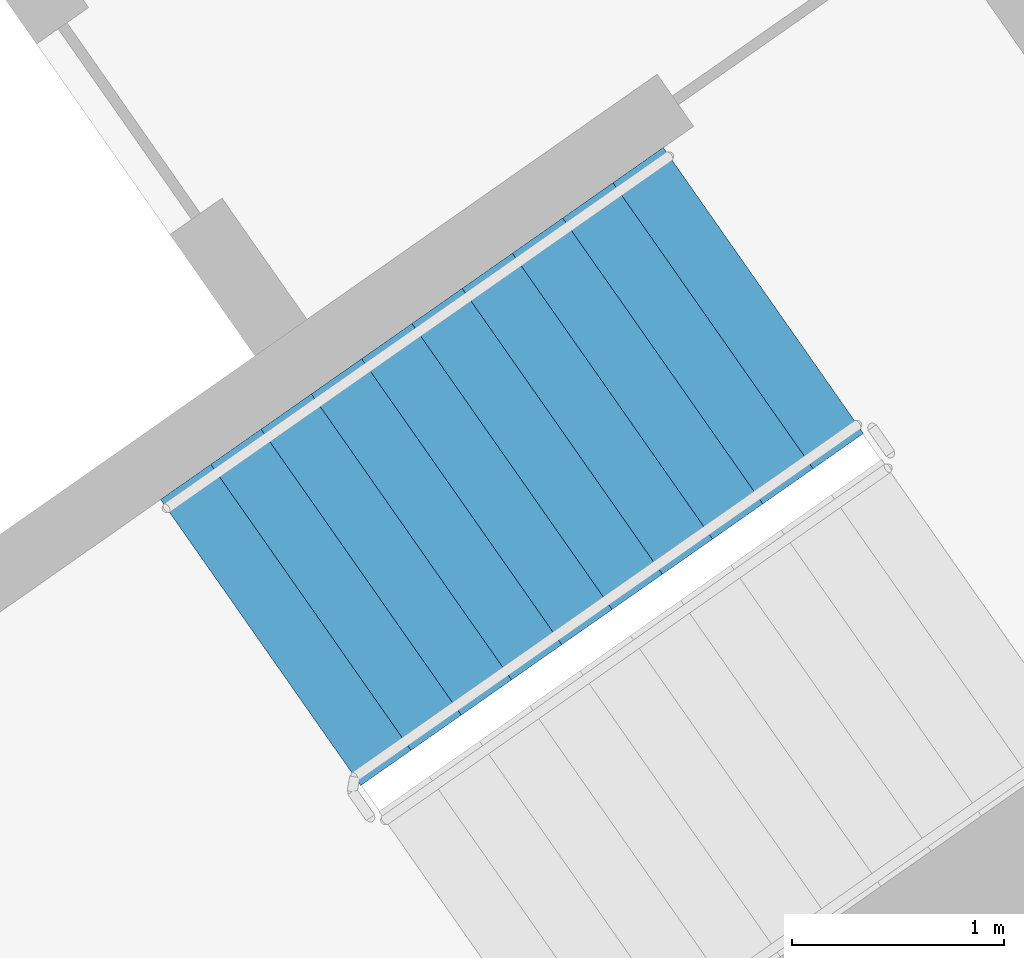
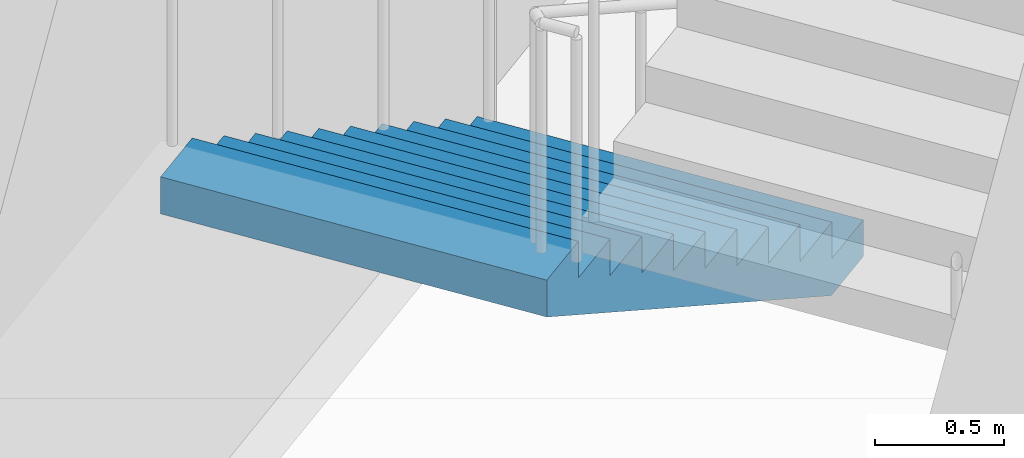
# One storey, part 15 of 29: 1 stair flight, 1 element without a shape of its own.
"""IFC4 building model written with IfcOpenShell, lengths in metres."""

from ifc_helpers import new_model, si_unit, direction, frame, origin, place, context, subcontext, project, spatial, faceted_brep, material, type_object, element, aggregate, save


model = new_model("IFC4")

# Units and contexts
model_context = context("Model", 3, precision=1e-05, world=origin(), true_north=direction((0.0, 1.0)))
body_context = subcontext(model_context, "Body", "Model", "MODEL_VIEW")
ifc_project = project(units=[si_unit("LENGTHUNIT", "METRE"), si_unit("AREAUNIT", "SQUARE_METRE"), si_unit("VOLUMEUNIT", "CUBIC_METRE"), si_unit("PLANEANGLEUNIT", "RADIAN"), si_unit("MASSUNIT", "GRAM", prefix="KILO")], contexts=[model_context])

# Site, building, storey
site_placement = place(None, origin())
site = spatial("IfcSite", under=ifc_project, at=site_placement, CompositionType="ELEMENT")
building_placement = place(site_placement, origin())
building = spatial("IfcBuilding", under=site, at=building_placement, Name="Qamariyya Broadcast Tower", CompositionType="ELEMENT")
storey_placement = place(building_placement, frame((0.0, 0.0, 132.89990234375)))
storey = spatial("IfcBuildingStorey", under=building, at=storey_placement, Name="L30", CompositionType="ELEMENT", Elevation=132.89990234375)

# Stair, stair flight
ifc_material = material(Name="Concrete C50/60", Category="concrete")
stair_type = type_object("IfcStairType", Name="Exit stair 22 risers of 173 mm", PredefinedType="HALF_TURN_STAIR", material=ifc_material)
stair_placement = place(storey_placement, origin())
stair = element("IfcStair", 1, at=stair_placement, inside=storey, type_object=stair_type, Name="L30 Stair E1", PredefinedType="HALF_TURN_STAIR")
stair_flight_type = type_object("IfcStairFlightType", Name="Exit stair flight 11 risers of 173 mm", PredefinedType="STRAIGHT", material=ifc_material)
stair_flight_placement = place(storey_placement, frame((46.036376953125, -55.508056640625, 0.0), z_axis=(0.0, 0.0, 1.0), x_axis=(-0.819152044289, -0.573576436351, 0.0)))
stair_flight = element("IfcStairFlight", 2, at=stair_flight_placement, type_object=stair_flight_type, Name="ST-E1 flight 1", NumberOfRisers=11, NumberOfTreads=10, PredefinedType="STRAIGHT", RiserHeight=0.172727273, TreadLength=0.29, context=body_context, shape_type="Brep", body=[
    faceted_brep([(0.0, 0.824951171875, 0.0), (0.0, 0.824951171875, 0.172607421875), (0.2900390625, 0.824951171875, 0.172607421875), (0.2900390625, 0.824951171875, 0.345458984375), (0.580078125, 0.824951171875, 0.345458984375), (0.580078125, 0.824951171875, 0.51806640625), (0.8701171875, 0.824951171875, 0.51806640625), (0.8701171875, 0.824951171875, 0.69091796875), (1.159912109375, 0.824951171875, 0.69091796875), (1.159912109375, 0.824951171875, 0.863525390625), (1.449951171875, 0.824951171875, 0.863525390625), (1.449951171875, 0.824951171875, 1.036376953125), (1.739990234375, 0.824951171875, 1.036376953125), (1.739990234375, 0.824951171875, 1.208984375), (2.030029296875, 0.824951171875, 1.208984375), (2.030029296875, 0.824951171875, 1.3818359375), (2.320068359375, 0.824951171875, 1.3818359375), (2.320068359375, 0.824951171875, 1.554443359375), (2.610107421875, 0.824951171875, 1.554443359375), (2.610107421875, 0.824951171875, 1.727294921875), (2.89990234375, 0.824951171875, 1.727294921875), (2.89990234375, 0.824951171875, 1.552734375), (0.29296875, 0.824951171875, 0.0), (0.29296875, -0.824951171875, 0.0), (2.89990234375, -0.824951171875, 1.552734375), (2.89990234375, -0.824951171875, 1.727294921875), (2.610107421875, -0.824951171875, 1.727294921875), (2.610107421875, -0.824951171875, 1.554443359375), (2.320068359375, -0.824951171875, 1.554443359375), (2.320068359375, -0.824951171875, 1.3818359375), (2.030029296875, -0.824951171875, 1.3818359375), (2.030029296875, -0.824951171875, 1.208984375), (1.739990234375, -0.824951171875, 1.208984375), (1.739990234375, -0.824951171875, 1.036376953125), (1.449951171875, -0.824951171875, 1.036376953125), (1.449951171875, -0.824951171875, 0.863525390625), (1.159912109375, -0.824951171875, 0.863525390625), (1.159912109375, -0.824951171875, 0.69091796875), (0.8701171875, -0.824951171875, 0.69091796875), (0.8701171875, -0.824951171875, 0.51806640625), (0.580078125, -0.824951171875, 0.51806640625), (0.580078125, -0.824951171875, 0.345458984375), (0.2900390625, -0.824951171875, 0.345458984375), (0.2900390625, -0.824951171875, 0.172607421875), (0.0, -0.824951171875, 0.172607421875), (0.0, -0.824951171875, 0.0), (0.0, 0.10009765625, 0.0), (0.0, 0.086669921875, 0.0), (0.0, 0.0732421875, 0.0), (0.0, 0.06005859375, 0.0), (0.0, 0.046630859375, 0.0), (0.0, 0.033447265625, 0.0), (0.0, 0.02001953125, 0.0), (0.0, 0.006591796875, 0.0), (0.0, -0.006591796875, 0.0), (0.0, -0.02001953125, 0.0), (0.0, -0.033447265625, 0.0), (0.0, -0.046630859375, 0.0), (0.0, -0.06005859375, 0.0), (0.0, -0.0732421875, 0.0), (0.0, -0.086669921875, 0.0), (0.0, -0.10009765625, 0.0), (0.0, -0.10009765625, 0.172607421875), (0.0, -0.086669921875, 0.172607421875), (0.0, -0.0732421875, 0.172607421875), (0.0, -0.06005859375, 0.172607421875), (0.0, -0.046630859375, 0.172607421875), (0.0, -0.033447265625, 0.172607421875), (0.0, -0.02001953125, 0.172607421875), (0.0, -0.006591796875, 0.172607421875), (0.0, 0.006591796875, 0.172607421875), (0.0, 0.02001953125, 0.172607421875), (0.0, 0.033447265625, 0.172607421875), (0.0, 0.046630859375, 0.172607421875), (0.0, 0.06005859375, 0.172607421875), (0.0, 0.0732421875, 0.172607421875), (0.0, 0.086669921875, 0.172607421875), (0.0, 0.10009765625, 0.172607421875), (0.2900390625, -0.10009765625, 0.172607421875), (0.2900390625, -0.086669921875, 0.172607421875), (0.2900390625, -0.0732421875, 0.172607421875), (0.2900390625, -0.06005859375, 0.172607421875), (0.2900390625, -0.046630859375, 0.172607421875), (0.2900390625, -0.033447265625, 0.172607421875), (0.2900390625, -0.02001953125, 0.172607421875), (0.2900390625, -0.006591796875, 0.172607421875), (0.2900390625, 0.006591796875, 0.172607421875), (0.2900390625, 0.02001953125, 0.172607421875), (0.2900390625, 0.033447265625, 0.172607421875), (0.2900390625, 0.046630859375, 0.172607421875), (0.2900390625, 0.06005859375, 0.172607421875), (0.2900390625, 0.0732421875, 0.172607421875), (0.2900390625, 0.086669921875, 0.172607421875), (0.2900390625, 0.10009765625, 0.172607421875), (0.2900390625, -0.10009765625, 0.345458984375), (0.2900390625, -0.086669921875, 0.345458984375), (0.2900390625, -0.0732421875, 0.345458984375), (0.2900390625, -0.06005859375, 0.345458984375), (0.2900390625, -0.046630859375, 0.345458984375), (0.2900390625, -0.033447265625, 0.345458984375), (0.2900390625, -0.02001953125, 0.345458984375), (0.2900390625, -0.006591796875, 0.345458984375), (0.2900390625, 0.006591796875, 0.345458984375), (0.2900390625, 0.02001953125, 0.345458984375), (0.2900390625, 0.033447265625, 0.345458984375), (0.2900390625, 0.046630859375, 0.345458984375), (0.2900390625, 0.06005859375, 0.345458984375), (0.2900390625, 0.0732421875, 0.345458984375), (0.2900390625, 0.086669921875, 0.345458984375), (0.2900390625, 0.10009765625, 0.345458984375), (0.580078125, -0.10009765625, 0.345458984375), (0.580078125, -0.086669921875, 0.345458984375), (0.580078125, -0.0732421875, 0.345458984375), (0.580078125, -0.06005859375, 0.345458984375), (0.580078125, -0.046630859375, 0.345458984375), (0.580078125, -0.033447265625, 0.345458984375), (0.580078125, -0.02001953125, 0.345458984375), (0.580078125, -0.006591796875, 0.345458984375), (0.580078125, 0.006591796875, 0.345458984375), (0.580078125, 0.02001953125, 0.345458984375), (0.580078125, 0.033447265625, 0.345458984375), (0.580078125, 0.046630859375, 0.345458984375), (0.580078125, 0.06005859375, 0.345458984375), (0.580078125, 0.0732421875, 0.345458984375), (0.580078125, 0.086669921875, 0.345458984375), (0.580078125, 0.10009765625, 0.345458984375), (0.580078125, -0.10009765625, 0.51806640625), (0.580078125, -0.086669921875, 0.51806640625), (0.580078125, -0.0732421875, 0.51806640625), (0.580078125, -0.06005859375, 0.51806640625), (0.580078125, -0.046630859375, 0.51806640625), (0.580078125, -0.033447265625, 0.51806640625), (0.580078125, -0.02001953125, 0.51806640625), (0.580078125, -0.006591796875, 0.51806640625), (0.580078125, 0.006591796875, 0.51806640625), (0.580078125, 0.02001953125, 0.51806640625), (0.580078125, 0.033447265625, 0.51806640625), (0.580078125, 0.046630859375, 0.51806640625), (0.580078125, 0.06005859375, 0.51806640625), (0.580078125, 0.0732421875, 0.51806640625), (0.580078125, 0.086669921875, 0.51806640625), (0.580078125, 0.10009765625, 0.51806640625), (0.8701171875, -0.10009765625, 0.51806640625), (0.8701171875, -0.086669921875, 0.51806640625), (0.8701171875, -0.0732421875, 0.51806640625), (0.8701171875, -0.06005859375, 0.51806640625), (0.8701171875, -0.046630859375, 0.51806640625), (0.8701171875, -0.033447265625, 0.51806640625), (0.8701171875, -0.02001953125, 0.51806640625), (0.8701171875, -0.006591796875, 0.51806640625), (0.8701171875, 0.006591796875, 0.51806640625), (0.8701171875, 0.02001953125, 0.51806640625), (0.8701171875, 0.033447265625, 0.51806640625), (0.8701171875, 0.046630859375, 0.51806640625), (0.8701171875, 0.06005859375, 0.51806640625), (0.8701171875, 0.0732421875, 0.51806640625), (0.8701171875, 0.086669921875, 0.51806640625), (0.8701171875, 0.10009765625, 0.51806640625), (0.8701171875, -0.10009765625, 0.69091796875), (0.8701171875, -0.086669921875, 0.69091796875), (0.8701171875, -0.0732421875, 0.69091796875), (0.8701171875, -0.06005859375, 0.69091796875), (0.8701171875, -0.046630859375, 0.69091796875), (0.8701171875, -0.033447265625, 0.69091796875), (0.8701171875, -0.02001953125, 0.69091796875), (0.8701171875, -0.006591796875, 0.69091796875), (0.8701171875, 0.006591796875, 0.69091796875), (0.8701171875, 0.02001953125, 0.69091796875), (0.8701171875, 0.033447265625, 0.69091796875), (0.8701171875, 0.046630859375, 0.69091796875), (0.8701171875, 0.06005859375, 0.69091796875), (0.8701171875, 0.0732421875, 0.69091796875), (0.8701171875, 0.086669921875, 0.69091796875), (0.8701171875, 0.10009765625, 0.69091796875), (1.159912109375, -0.10009765625, 0.69091796875), (1.159912109375, -0.086669921875, 0.69091796875), (1.159912109375, -0.0732421875, 0.69091796875), (1.159912109375, -0.06005859375, 0.69091796875), (1.159912109375, -0.046630859375, 0.69091796875), (1.159912109375, -0.033447265625, 0.69091796875), (1.159912109375, -0.02001953125, 0.69091796875), (1.159912109375, -0.006591796875, 0.69091796875), (1.159912109375, 0.006591796875, 0.69091796875), (1.159912109375, 0.02001953125, 0.69091796875), (1.159912109375, 0.033447265625, 0.69091796875), (1.159912109375, 0.046630859375, 0.69091796875), (1.159912109375, 0.06005859375, 0.69091796875), (1.159912109375, 0.0732421875, 0.69091796875), (1.159912109375, 0.086669921875, 0.69091796875), (1.159912109375, 0.10009765625, 0.69091796875), (1.159912109375, -0.10009765625, 0.863525390625), (1.159912109375, -0.086669921875, 0.863525390625), (1.159912109375, -0.0732421875, 0.863525390625), (1.159912109375, -0.06005859375, 0.863525390625), (1.159912109375, -0.046630859375, 0.863525390625), (1.159912109375, -0.033447265625, 0.863525390625), (1.159912109375, -0.02001953125, 0.863525390625), (1.159912109375, -0.006591796875, 0.863525390625), (1.159912109375, 0.006591796875, 0.863525390625), (1.159912109375, 0.02001953125, 0.863525390625), (1.159912109375, 0.033447265625, 0.863525390625), (1.159912109375, 0.046630859375, 0.863525390625), (1.159912109375, 0.06005859375, 0.863525390625), (1.159912109375, 0.0732421875, 0.863525390625), (1.159912109375, 0.086669921875, 0.863525390625), (1.159912109375, 0.10009765625, 0.863525390625), (1.449951171875, -0.10009765625, 0.863525390625), (1.449951171875, -0.086669921875, 0.863525390625), (1.449951171875, -0.0732421875, 0.863525390625), (1.449951171875, -0.06005859375, 0.863525390625), (1.449951171875, -0.046630859375, 0.863525390625), (1.449951171875, -0.033447265625, 0.863525390625), (1.449951171875, -0.02001953125, 0.863525390625), (1.449951171875, -0.006591796875, 0.863525390625), (1.449951171875, 0.006591796875, 0.863525390625), (1.449951171875, 0.02001953125, 0.863525390625), (1.449951171875, 0.033447265625, 0.863525390625), (1.449951171875, 0.046630859375, 0.863525390625), (1.449951171875, 0.06005859375, 0.863525390625), (1.449951171875, 0.0732421875, 0.863525390625), (1.449951171875, 0.086669921875, 0.863525390625), (1.449951171875, 0.10009765625, 0.863525390625), (1.449951171875, -0.10009765625, 1.036376953125), (1.449951171875, -0.086669921875, 1.036376953125), (1.449951171875, -0.0732421875, 1.036376953125), (1.449951171875, -0.06005859375, 1.036376953125), (1.449951171875, -0.046630859375, 1.036376953125), (1.449951171875, -0.033447265625, 1.036376953125), (1.449951171875, -0.02001953125, 1.036376953125), (1.449951171875, -0.006591796875, 1.036376953125), (1.449951171875, 0.006591796875, 1.036376953125), (1.449951171875, 0.02001953125, 1.036376953125), (1.449951171875, 0.033447265625, 1.036376953125), (1.449951171875, 0.046630859375, 1.036376953125), (1.449951171875, 0.06005859375, 1.036376953125), (1.449951171875, 0.0732421875, 1.036376953125), (1.449951171875, 0.086669921875, 1.036376953125), (1.449951171875, 0.10009765625, 1.036376953125), (1.739990234375, -0.10009765625, 1.036376953125), (1.739990234375, -0.086669921875, 1.036376953125), (1.739990234375, -0.0732421875, 1.036376953125), (1.739990234375, -0.06005859375, 1.036376953125), (1.739990234375, -0.046630859375, 1.036376953125), (1.739990234375, -0.033447265625, 1.036376953125), (1.739990234375, -0.02001953125, 1.036376953125), (1.739990234375, -0.006591796875, 1.036376953125), (1.739990234375, 0.006591796875, 1.036376953125), (1.739990234375, 0.02001953125, 1.036376953125), (1.739990234375, 0.033447265625, 1.036376953125), (1.739990234375, 0.046630859375, 1.036376953125), (1.739990234375, 0.06005859375, 1.036376953125), (1.739990234375, 0.0732421875, 1.036376953125), (1.739990234375, 0.086669921875, 1.036376953125), (1.739990234375, 0.10009765625, 1.036376953125), (1.739990234375, -0.10009765625, 1.208984375), (1.739990234375, -0.086669921875, 1.208984375), (1.739990234375, -0.0732421875, 1.208984375), (1.739990234375, -0.06005859375, 1.208984375), (1.739990234375, -0.046630859375, 1.208984375), (1.739990234375, -0.033447265625, 1.208984375), (1.739990234375, -0.02001953125, 1.208984375), (1.739990234375, -0.006591796875, 1.208984375), (1.739990234375, 0.006591796875, 1.208984375), (1.739990234375, 0.02001953125, 1.208984375), (1.739990234375, 0.033447265625, 1.208984375), (1.739990234375, 0.046630859375, 1.208984375), (1.739990234375, 0.06005859375, 1.208984375), (1.739990234375, 0.0732421875, 1.208984375), (1.739990234375, 0.086669921875, 1.208984375), (1.739990234375, 0.10009765625, 1.208984375), (2.030029296875, -0.10009765625, 1.208984375), (2.030029296875, -0.086669921875, 1.208984375), (2.030029296875, -0.0732421875, 1.208984375), (2.030029296875, -0.06005859375, 1.208984375), (2.030029296875, -0.046630859375, 1.208984375), (2.030029296875, -0.033447265625, 1.208984375), (2.030029296875, -0.02001953125, 1.208984375), (2.030029296875, -0.006591796875, 1.208984375), (2.030029296875, 0.006591796875, 1.208984375), (2.030029296875, 0.02001953125, 1.208984375), (2.030029296875, 0.033447265625, 1.208984375), (2.030029296875, 0.046630859375, 1.208984375), (2.030029296875, 0.06005859375, 1.208984375), (2.030029296875, 0.0732421875, 1.208984375), (2.030029296875, 0.086669921875, 1.208984375), (2.030029296875, 0.10009765625, 1.208984375), (2.030029296875, -0.10009765625, 1.3818359375), (2.030029296875, -0.086669921875, 1.3818359375), (2.030029296875, -0.0732421875, 1.3818359375), (2.030029296875, -0.06005859375, 1.3818359375), (2.030029296875, -0.046630859375, 1.3818359375), (2.030029296875, -0.033447265625, 1.3818359375), (2.030029296875, -0.02001953125, 1.3818359375), (2.030029296875, -0.006591796875, 1.3818359375), (2.030029296875, 0.006591796875, 1.3818359375), (2.030029296875, 0.02001953125, 1.3818359375), (2.030029296875, 0.033447265625, 1.3818359375), (2.030029296875, 0.046630859375, 1.3818359375), (2.030029296875, 0.06005859375, 1.3818359375), (2.030029296875, 0.0732421875, 1.3818359375), (2.030029296875, 0.086669921875, 1.3818359375), (2.030029296875, 0.10009765625, 1.3818359375), (2.320068359375, -0.10009765625, 1.3818359375), (2.320068359375, -0.086669921875, 1.3818359375), (2.320068359375, -0.0732421875, 1.3818359375), (2.320068359375, -0.06005859375, 1.3818359375), (2.320068359375, -0.046630859375, 1.3818359375), (2.320068359375, -0.033447265625, 1.3818359375), (2.320068359375, -0.02001953125, 1.3818359375), (2.320068359375, -0.006591796875, 1.3818359375), (2.320068359375, 0.006591796875, 1.3818359375), (2.320068359375, 0.02001953125, 1.3818359375), (2.320068359375, 0.033447265625, 1.3818359375), (2.320068359375, 0.046630859375, 1.3818359375), (2.320068359375, 0.06005859375, 1.3818359375), (2.320068359375, 0.0732421875, 1.3818359375), (2.320068359375, 0.086669921875, 1.3818359375), (2.320068359375, 0.10009765625, 1.3818359375), (2.320068359375, -0.10009765625, 1.554443359375), (2.320068359375, -0.086669921875, 1.554443359375), (2.320068359375, -0.0732421875, 1.554443359375), (2.320068359375, -0.06005859375, 1.554443359375), (2.320068359375, -0.046630859375, 1.554443359375), (2.320068359375, -0.033447265625, 1.554443359375), (2.320068359375, -0.02001953125, 1.554443359375), (2.320068359375, -0.006591796875, 1.554443359375), (2.320068359375, 0.006591796875, 1.554443359375), (2.320068359375, 0.02001953125, 1.554443359375), (2.320068359375, 0.033447265625, 1.554443359375), (2.320068359375, 0.046630859375, 1.554443359375), (2.320068359375, 0.06005859375, 1.554443359375), (2.320068359375, 0.0732421875, 1.554443359375), (2.320068359375, 0.086669921875, 1.554443359375), (2.320068359375, 0.10009765625, 1.554443359375), (2.610107421875, -0.10009765625, 1.554443359375), (2.610107421875, -0.086669921875, 1.554443359375), (2.610107421875, -0.0732421875, 1.554443359375), (2.610107421875, -0.06005859375, 1.554443359375), (2.610107421875, -0.046630859375, 1.554443359375), (2.610107421875, -0.033447265625, 1.554443359375), (2.610107421875, -0.02001953125, 1.554443359375), (2.610107421875, -0.006591796875, 1.554443359375), (2.610107421875, 0.006591796875, 1.554443359375), (2.610107421875, 0.02001953125, 1.554443359375), (2.610107421875, 0.033447265625, 1.554443359375), (2.610107421875, 0.046630859375, 1.554443359375), (2.610107421875, 0.06005859375, 1.554443359375), (2.610107421875, 0.0732421875, 1.554443359375), (2.610107421875, 0.086669921875, 1.554443359375), (2.610107421875, 0.10009765625, 1.554443359375), (2.610107421875, -0.10009765625, 1.727294921875), (2.610107421875, -0.086669921875, 1.727294921875), (2.610107421875, -0.0732421875, 1.727294921875), (2.610107421875, -0.06005859375, 1.727294921875), (2.610107421875, -0.046630859375, 1.727294921875), (2.610107421875, -0.033447265625, 1.727294921875), (2.610107421875, -0.02001953125, 1.727294921875), (2.610107421875, -0.006591796875, 1.727294921875), (2.610107421875, 0.006591796875, 1.727294921875), (2.610107421875, 0.02001953125, 1.727294921875), (2.610107421875, 0.033447265625, 1.727294921875), (2.610107421875, 0.046630859375, 1.727294921875), (2.610107421875, 0.06005859375, 1.727294921875), (2.610107421875, 0.0732421875, 1.727294921875), (2.610107421875, 0.086669921875, 1.727294921875), (2.610107421875, 0.10009765625, 1.727294921875), (2.89990234375, -0.10009765625, 1.727294921875), (2.89990234375, -0.086669921875, 1.727294921875), (2.89990234375, -0.0732421875, 1.727294921875), (2.89990234375, -0.06005859375, 1.727294921875), (2.89990234375, -0.046630859375, 1.727294921875), (2.89990234375, -0.033447265625, 1.727294921875), (2.89990234375, -0.02001953125, 1.727294921875), (2.89990234375, -0.006591796875, 1.727294921875), (2.89990234375, 0.006591796875, 1.727294921875), (2.89990234375, 0.02001953125, 1.727294921875), (2.89990234375, 0.033447265625, 1.727294921875), (2.89990234375, 0.046630859375, 1.727294921875), (2.89990234375, 0.06005859375, 1.727294921875), (2.89990234375, 0.0732421875, 1.727294921875), (2.89990234375, 0.086669921875, 1.727294921875), (2.89990234375, 0.10009765625, 1.727294921875), (2.89990234375, -0.10009765625, 1.552734375), (2.89990234375, -0.086669921875, 1.552734375), (2.89990234375, -0.0732421875, 1.552734375), (2.89990234375, -0.06005859375, 1.552734375), (2.89990234375, -0.046630859375, 1.552734375), (2.89990234375, -0.033447265625, 1.552734375), (2.89990234375, -0.02001953125, 1.552734375), (2.89990234375, -0.006591796875, 1.552734375), (2.89990234375, 0.006591796875, 1.552734375), (2.89990234375, 0.02001953125, 1.552734375), (2.89990234375, 0.033447265625, 1.552734375), (2.89990234375, 0.046630859375, 1.552734375), (2.89990234375, 0.06005859375, 1.552734375), (2.89990234375, 0.0732421875, 1.552734375), (2.89990234375, 0.086669921875, 1.552734375), (2.89990234375, 0.10009765625, 1.552734375), (0.29296875, -0.10009765625, 0.0), (0.29296875, -0.086669921875, 0.0), (0.29296875, -0.0732421875, 0.0), (0.29296875, -0.06005859375, 0.0), (0.29296875, -0.046630859375, 0.0), (0.29296875, -0.033447265625, 0.0), (0.29296875, -0.02001953125, 0.0), (0.29296875, -0.006591796875, 0.0), (0.29296875, 0.006591796875, 0.0), (0.29296875, 0.02001953125, 0.0), (0.29296875, 0.033447265625, 0.0), (0.29296875, 0.046630859375, 0.0), (0.29296875, 0.06005859375, 0.0), (0.29296875, 0.0732421875, 0.0), (0.29296875, 0.086669921875, 0.0), (0.29296875, 0.10009765625, 0.0)], [[[0, 1, 2, 3, 4, 5, 6, 7, 8, 9, 10, 11, 12, 13, 14, 15, 16, 17, 18, 19, 20, 21, 22]], [[23, 24, 25, 26, 27, 28, 29, 30, 31, 32, 33, 34, 35, 36, 37, 38, 39, 40, 41, 42, 43, 44, 45]], [[0, 46, 47, 48, 49, 50, 51, 52, 53, 54, 55, 56, 57, 58, 59, 60, 61, 45, 44, 62, 63, 64, 65, 66, 67, 68, 69, 70, 71, 72, 73, 74, 75, 76, 77, 1]], [[1, 77, 76, 75, 74, 73, 72, 71, 70, 69, 68, 67, 66, 65, 64, 63, 62, 44, 43, 78, 79, 80, 81, 82, 83, 84, 85, 86, 87, 88, 89, 90, 91, 92, 93, 2]], [[2, 93, 92, 91, 90, 89, 88, 87, 86, 85, 84, 83, 82, 81, 80, 79, 78, 43, 42, 94, 95, 96, 97, 98, 99, 100, 101, 102, 103, 104, 105, 106, 107, 108, 109, 3]], [[3, 109, 108, 107, 106, 105, 104, 103, 102, 101, 100, 99, 98, 97, 96, 95, 94, 42, 41, 110, 111, 112, 113, 114, 115, 116, 117, 118, 119, 120, 121, 122, 123, 124, 125, 4]], [[4, 125, 124, 123, 122, 121, 120, 119, 118, 117, 116, 115, 114, 113, 112, 111, 110, 41, 40, 126, 127, 128, 129, 130, 131, 132, 133, 134, 135, 136, 137, 138, 139, 140, 141, 5]], [[5, 141, 140, 139, 138, 137, 136, 135, 134, 133, 132, 131, 130, 129, 128, 127, 126, 40, 39, 142, 143, 144, 145, 146, 147, 148, 149, 150, 151, 152, 153, 154, 155, 156, 157, 6]], [[6, 157, 156, 155, 154, 153, 152, 151, 150, 149, 148, 147, 146, 145, 144, 143, 142, 39, 38, 158, 159, 160, 161, 162, 163, 164, 165, 166, 167, 168, 169, 170, 171, 172, 173, 7]], [[7, 173, 172, 171, 170, 169, 168, 167, 166, 165, 164, 163, 162, 161, 160, 159, 158, 38, 37, 174, 175, 176, 177, 178, 179, 180, 181, 182, 183, 184, 185, 186, 187, 188, 189, 8]], [[8, 189, 188, 187, 186, 185, 184, 183, 182, 181, 180, 179, 178, 177, 176, 175, 174, 37, 36, 190, 191, 192, 193, 194, 195, 196, 197, 198, 199, 200, 201, 202, 203, 204, 205, 9]], [[9, 205, 204, 203, 202, 201, 200, 199, 198, 197, 196, 195, 194, 193, 192, 191, 190, 36, 35, 206, 207, 208, 209, 210, 211, 212, 213, 214, 215, 216, 217, 218, 219, 220, 221, 10]], [[10, 221, 220, 219, 218, 217, 216, 215, 214, 213, 212, 211, 210, 209, 208, 207, 206, 35, 34, 222, 223, 224, 225, 226, 227, 228, 229, 230, 231, 232, 233, 234, 235, 236, 237, 11]], [[11, 237, 236, 235, 234, 233, 232, 231, 230, 229, 228, 227, 226, 225, 224, 223, 222, 34, 33, 238, 239, 240, 241, 242, 243, 244, 245, 246, 247, 248, 249, 250, 251, 252, 253, 12]], [[12, 253, 252, 251, 250, 249, 248, 247, 246, 245, 244, 243, 242, 241, 240, 239, 238, 33, 32, 254, 255, 256, 257, 258, 259, 260, 261, 262, 263, 264, 265, 266, 267, 268, 269, 13]], [[13, 269, 268, 267, 266, 265, 264, 263, 262, 261, 260, 259, 258, 257, 256, 255, 254, 32, 31, 270, 271, 272, 273, 274, 275, 276, 277, 278, 279, 280, 281, 282, 283, 284, 285, 14]], [[14, 285, 284, 283, 282, 281, 280, 279, 278, 277, 276, 275, 274, 273, 272, 271, 270, 31, 30, 286, 287, 288, 289, 290, 291, 292, 293, 294, 295, 296, 297, 298, 299, 300, 301, 15]], [[15, 301, 300, 299, 298, 297, 296, 295, 294, 293, 292, 291, 290, 289, 288, 287, 286, 30, 29, 302, 303, 304, 305, 306, 307, 308, 309, 310, 311, 312, 313, 314, 315, 316, 317, 16]], [[16, 317, 316, 315, 314, 313, 312, 311, 310, 309, 308, 307, 306, 305, 304, 303, 302, 29, 28, 318, 319, 320, 321, 322, 323, 324, 325, 326, 327, 328, 329, 330, 331, 332, 333, 17]], [[17, 333, 332, 331, 330, 329, 328, 327, 326, 325, 324, 323, 322, 321, 320, 319, 318, 28, 27, 334, 335, 336, 337, 338, 339, 340, 341, 342, 343, 344, 345, 346, 347, 348, 349, 18]], [[18, 349, 348, 347, 346, 345, 344, 343, 342, 341, 340, 339, 338, 337, 336, 335, 334, 27, 26, 350, 351, 352, 353, 354, 355, 356, 357, 358, 359, 360, 361, 362, 363, 364, 365, 19]], [[19, 365, 364, 363, 362, 361, 360, 359, 358, 357, 356, 355, 354, 353, 352, 351, 350, 26, 25, 366, 367, 368, 369, 370, 371, 372, 373, 374, 375, 376, 377, 378, 379, 380, 381, 20]], [[20, 381, 380, 379, 378, 377, 376, 375, 374, 373, 372, 371, 370, 369, 368, 367, 366, 25, 24, 382, 383, 384, 385, 386, 387, 388, 389, 390, 391, 392, 393, 394, 395, 396, 397, 21]], [[21, 397, 396, 395, 394, 393, 392, 391, 390, 389, 388, 387, 386, 385, 384, 383, 382, 24, 23, 398, 399, 400, 401, 402, 403, 404, 405, 406, 407, 408, 409, 410, 411, 412, 413, 22]], [[22, 413, 412, 411, 410, 409, 408, 407, 406, 405, 404, 403, 402, 401, 400, 399, 398, 23, 45, 61, 60, 59, 58, 57, 56, 55, 54, 53, 52, 51, 50, 49, 48, 47, 46, 0]]]),
])
aggregate(stair, [stair_flight])

save(model, "model.ifc")
